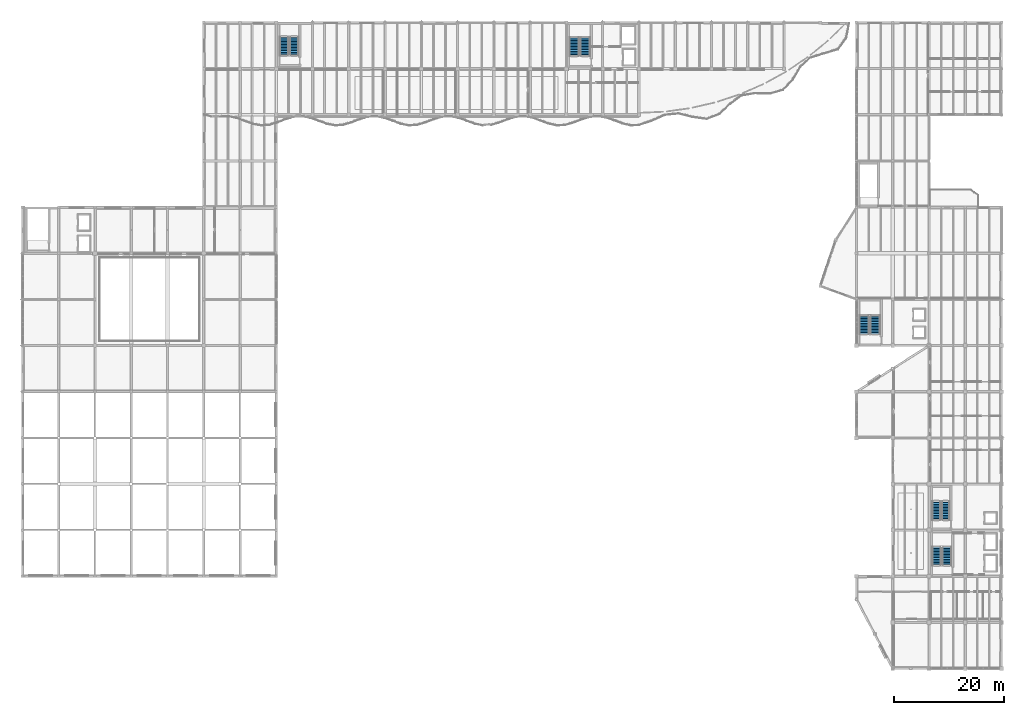
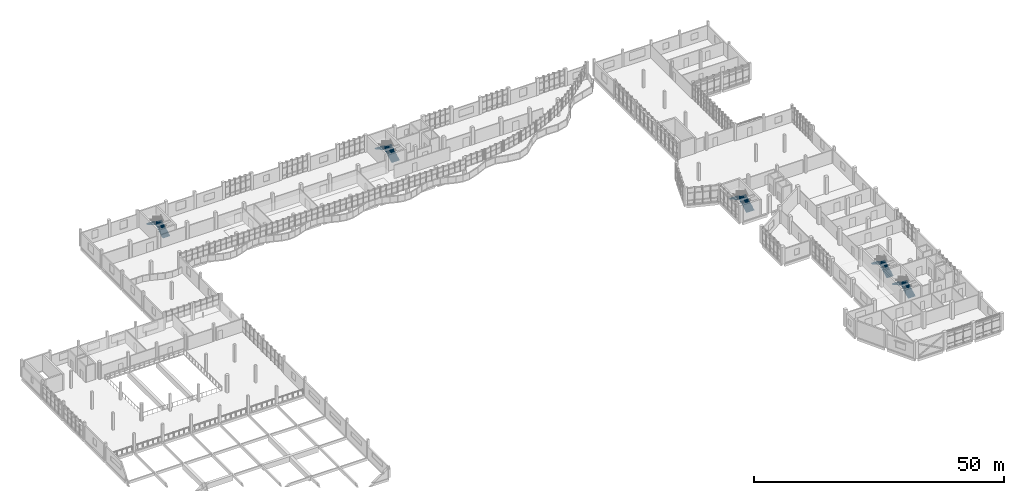
# One storey, part 56 of 74: 10 stair flights, 5 elements without a shape of their own.
"""IFC4 building model written with IfcOpenShell, lengths in metres."""

from ifc_helpers import new_model, si_unit, direction, frame, origin, place, context, subcontext, project, spatial, polyline, outline, extrude, material, type_object, element, aggregate, save


model = new_model("IFC4")

# Units and contexts
model_context = context("Model", 3, precision=1e-05, world=origin(), true_north=direction((0.0, 1.0)))
body_context = subcontext(model_context, "Body", "Model", "MODEL_VIEW")
ifc_project = project(units=[si_unit("LENGTHUNIT", "METRE"), si_unit("AREAUNIT", "SQUARE_METRE"), si_unit("VOLUMEUNIT", "CUBIC_METRE"), si_unit("PLANEANGLEUNIT", "RADIAN"), si_unit("MASSUNIT", "GRAM", prefix="KILO")], contexts=[model_context])

# Site, building, storey
site_placement = place(None, origin())
site = spatial("IfcSite", under=ifc_project, at=site_placement, CompositionType="ELEMENT")
building_placement = place(site_placement, origin())
building = spatial("IfcBuilding", under=site, at=building_placement, Name="Qaldarim Faculty of Natural and Applied Sciences", CompositionType="ELEMENT")
storey_placement = place(building_placement, frame((0.0, 0.0, 14.39990234375)))
storey = spatial("IfcBuildingStorey", under=building, at=storey_placement, Name="L03", CompositionType="ELEMENT", Elevation=14.39990234375)

# Stair, stair flights
ifc_material = material(Name="Concrete C40/50", Category="concrete")
stair_type_1 = type_object("IfcStairType", Name="DoglegStair-W1500-H4200-26R", PredefinedType="HALF_TURN_STAIR", material=ifc_material)
stair_1_placement = place(storey_placement, origin())
stair_1 = element("IfcStair", 1, at=stair_1_placement, inside=storey, type_object=stair_type_1, Name="Enclosed exit stair ST-A2 L03", PredefinedType="HALF_TURN_STAIR")
stair_flight_type_1 = type_object("IfcStairFlightType", Name="StairFlight-W1500-13R", PredefinedType="STRAIGHT", material=ifc_material)
stair_flight_1_placement = place(storey_placement, frame((168.050048828125, 27.050048828125, 0.0), z_axis=(0.0, 0.0, 1.0), x_axis=(0.0, 1.0, 0.0)))
stair_flight_1 = element("IfcStairFlight", 2, at=stair_flight_1_placement, type_object=stair_flight_type_1, Name="ST-A2 L03 flight 1", NumberOfRisers=13, NumberOfTreads=12, PredefinedType="STRAIGHT", RiserHeight=0.161538462, TreadLength=0.285, context=body_context, shape_type="SweptSolid", body=[
    extrude(outline(polyline([(0.0, 0.0), (0.0, 0.16162109375), (0.284912109375, 0.16162109375), (0.284912109375, 0.322998046875), (0.570068359375, 0.322998046875), (0.570068359375, 0.484619140625), (0.85498046875, 0.484619140625), (0.85498046875, 0.646240234375), (1.139892578125, 0.646240234375), (1.139892578125, 0.8076171875), (1.425048828125, 0.8076171875), (1.425048828125, 0.96923828125), (1.7099609375, 0.96923828125), (1.7099609375, 1.130859375), (1.9951171875, 1.130859375), (1.9951171875, 1.292236328125), (2.280029296875, 1.292236328125), (2.280029296875, 1.453857421875), (2.56494140625, 1.453857421875), (2.56494140625, 1.615478515625), (2.85009765625, 1.615478515625), (2.85009765625, 1.77685546875), (3.135009765625, 1.77685546875), (3.135009765625, 1.9384765625), (3.419921875, 1.9384765625), (3.419921875, 2.10009765625), (3.419921875, 1.76611328125), (0.303955078125, 0.0), (0.0, 0.0)])), frame((0.0, 0.75, 0.0), z_axis=(0.0, -1.0, 0.0), x_axis=(1.0, 0.0, 0.0)), (0.0, 0.0, 1.0), 1.5),
])
stair_flight_2_placement = place(storey_placement, frame((166.35009765625, 30.469970703125, 2.10009765625), z_axis=(0.0, 0.0, 1.0), x_axis=(0.0, -1.0, 0.0)))
stair_flight_2 = element("IfcStairFlight", 3, at=stair_flight_2_placement, type_object=stair_flight_type_1, Name="ST-A2 L03 flight 2", NumberOfRisers=13, NumberOfTreads=12, PredefinedType="STRAIGHT", RiserHeight=0.161538462, TreadLength=0.285, context=body_context, shape_type="SweptSolid", body=[
    extrude(outline(polyline([(0.0, 0.0), (0.0, 0.16162109375), (0.284912109375, 0.16162109375), (0.284912109375, 0.322998046875), (0.570068359375, 0.322998046875), (0.570068359375, 0.484619140625), (0.85498046875, 0.484619140625), (0.85498046875, 0.646240234375), (1.139892578125, 0.646240234375), (1.139892578125, 0.8076171875), (1.425048828125, 0.8076171875), (1.425048828125, 0.96923828125), (1.7099609375, 0.96923828125), (1.7099609375, 1.130859375), (1.9951171875, 1.130859375), (1.9951171875, 1.292236328125), (2.280029296875, 1.292236328125), (2.280029296875, 1.453857421875), (2.56494140625, 1.453857421875), (2.56494140625, 1.615478515625), (2.85009765625, 1.615478515625), (2.85009765625, 1.77685546875), (3.135009765625, 1.77685546875), (3.135009765625, 1.9384765625), (3.419921875, 1.9384765625), (3.419921875, 2.10009765625), (3.419921875, 1.76611328125), (0.303955078125, 0.0), (0.0, 0.0)])), frame((0.0, 0.75, 0.0), z_axis=(0.0, -1.0, 0.0), x_axis=(1.0, 0.0, 0.0)), (0.0, 0.0, 1.0), 1.5),
])
aggregate(stair_1, [stair_flight_1, stair_flight_2])

stair_type_2 = type_object("IfcStairType", Name="DoglegStair-W1650-H4200-26R", PredefinedType="HALF_TURN_STAIR", material=ifc_material)
stair_2_placement = place(storey_placement, origin())
stair_2 = element("IfcStair", 4, at=stair_2_placement, inside=storey, type_object=stair_type_2, Name="Enclosed exit stair ST-A1 L03", PredefinedType="HALF_TURN_STAIR")
stair_flight_type_2 = type_object("IfcStairFlightType", Name="StairFlight-W1650-13R", PredefinedType="STRAIGHT", material=ifc_material)
stair_flight_3_placement = place(storey_placement, frame((168.27490234375, 18.75, 0.0), z_axis=(0.0, 0.0, 1.0), x_axis=(0.0, 1.0, 0.0)))
stair_flight_3 = element("IfcStairFlight", 5, at=stair_flight_3_placement, type_object=stair_flight_type_2, Name="ST-A1 L03 flight 1", NumberOfRisers=13, NumberOfTreads=12, PredefinedType="STRAIGHT", RiserHeight=0.161538462, TreadLength=0.285, context=body_context, shape_type="SweptSolid", body=[
    extrude(outline(polyline([(0.0, 0.0), (0.0, 0.16162109375), (0.284912109375, 0.16162109375), (0.284912109375, 0.322998046875), (0.570068359375, 0.322998046875), (0.570068359375, 0.484619140625), (0.85498046875, 0.484619140625), (0.85498046875, 0.646240234375), (1.139892578125, 0.646240234375), (1.139892578125, 0.8076171875), (1.425048828125, 0.8076171875), (1.425048828125, 0.96923828125), (1.7099609375, 0.96923828125), (1.7099609375, 1.130859375), (1.9951171875, 1.130859375), (1.9951171875, 1.292236328125), (2.280029296875, 1.292236328125), (2.280029296875, 1.453857421875), (2.56494140625, 1.453857421875), (2.56494140625, 1.615478515625), (2.85009765625, 1.615478515625), (2.85009765625, 1.77685546875), (3.135009765625, 1.77685546875), (3.135009765625, 1.9384765625), (3.419921875, 1.9384765625), (3.419921875, 2.10009765625), (3.419921875, 1.76611328125), (0.303955078125, 0.0), (0.0, 0.0)])), frame((0.0, 0.824951171875, 0.0), z_axis=(0.0, -1.0, 0.0), x_axis=(1.0, 0.0, 0.0)), (0.0, 0.0, 1.0), 1.64990234375),
])
stair_flight_4_placement = place(storey_placement, frame((166.425048828125, 22.169921875, 2.10009765625), z_axis=(0.0, 0.0, 1.0), x_axis=(0.0, -1.0, 0.0)))
stair_flight_4 = element("IfcStairFlight", 6, at=stair_flight_4_placement, type_object=stair_flight_type_2, Name="ST-A1 L03 flight 2", NumberOfRisers=13, NumberOfTreads=12, PredefinedType="STRAIGHT", RiserHeight=0.161538462, TreadLength=0.285, context=body_context, shape_type="SweptSolid", body=[
    extrude(outline(polyline([(0.0, 0.0), (0.0, 0.16162109375), (0.284912109375, 0.16162109375), (0.284912109375, 0.322998046875), (0.570068359375, 0.322998046875), (0.570068359375, 0.484619140625), (0.85498046875, 0.484619140625), (0.85498046875, 0.646240234375), (1.139892578125, 0.646240234375), (1.139892578125, 0.8076171875), (1.425048828125, 0.8076171875), (1.425048828125, 0.96923828125), (1.7099609375, 0.96923828125), (1.7099609375, 1.130859375), (1.9951171875, 1.130859375), (1.9951171875, 1.292236328125), (2.280029296875, 1.292236328125), (2.280029296875, 1.453857421875), (2.56494140625, 1.453857421875), (2.56494140625, 1.615478515625), (2.85009765625, 1.615478515625), (2.85009765625, 1.77685546875), (3.135009765625, 1.77685546875), (3.135009765625, 1.9384765625), (3.419921875, 1.9384765625), (3.419921875, 2.10009765625), (3.419921875, 1.76611328125), (0.303955078125, 0.0), (0.0, 0.0)])), frame((0.0, 0.824951171875, 0.0), z_axis=(0.0, -1.0, 0.0), x_axis=(1.0, 0.0, 0.0)), (0.0, 0.0, 1.0), 1.64990234375),
])
aggregate(stair_2, [stair_flight_3, stair_flight_4])

stair_3_placement = place(storey_placement, origin())
stair_3 = element("IfcStair", 7, at=stair_3_placement, inside=storey, type_object=stair_type_2, Name="Enclosed exit stair ST-B2 L03", PredefinedType="HALF_TURN_STAIR")
stair_flight_5_placement = place(storey_placement, frame((49.47509765625, 111.60009765625, 0.0), z_axis=(0.0, 0.0, 1.0), x_axis=(0.0, 1.0, 0.0)))
stair_flight_5 = element("IfcStairFlight", 8, at=stair_flight_5_placement, type_object=stair_flight_type_2, Name="ST-B2 L03 flight 1", NumberOfRisers=13, NumberOfTreads=12, PredefinedType="STRAIGHT", RiserHeight=0.161538462, TreadLength=0.285, context=body_context, shape_type="SweptSolid", body=[
    extrude(outline(polyline([(0.0, 0.0), (0.0, 0.16162109375), (0.284912109375, 0.16162109375), (0.284912109375, 0.322998046875), (0.570068359375, 0.322998046875), (0.570068359375, 0.484619140625), (0.85498046875, 0.484619140625), (0.85498046875, 0.646240234375), (1.139892578125, 0.646240234375), (1.139892578125, 0.8076171875), (1.425048828125, 0.8076171875), (1.425048828125, 0.96923828125), (1.7099609375, 0.96923828125), (1.7099609375, 1.130859375), (1.9951171875, 1.130859375), (1.9951171875, 1.292236328125), (2.280029296875, 1.292236328125), (2.280029296875, 1.453857421875), (2.56494140625, 1.453857421875), (2.56494140625, 1.615478515625), (2.85009765625, 1.615478515625), (2.85009765625, 1.77685546875), (3.135009765625, 1.77685546875), (3.135009765625, 1.9384765625), (3.419921875, 1.9384765625), (3.419921875, 2.10009765625), (3.419921875, 1.76611328125), (0.303955078125, 0.0), (0.0, 0.0)])), frame((0.0, 0.824951171875, 0.0), z_axis=(0.0, -1.0, 0.0), x_axis=(1.0, 0.0, 0.0)), (0.0, 0.0, 1.0), 1.64990234375),
])
stair_flight_6_placement = place(storey_placement, frame((47.625, 115.02001953125, 2.10009765625), z_axis=(0.0, 0.0, 1.0), x_axis=(0.0, -1.0, 0.0)))
stair_flight_6 = element("IfcStairFlight", 9, at=stair_flight_6_placement, type_object=stair_flight_type_2, Name="ST-B2 L03 flight 2", NumberOfRisers=13, NumberOfTreads=12, PredefinedType="STRAIGHT", RiserHeight=0.161538462, TreadLength=0.285, context=body_context, shape_type="SweptSolid", body=[
    extrude(outline(polyline([(0.0, 0.0), (0.0, 0.16162109375), (0.284912109375, 0.16162109375), (0.284912109375, 0.322998046875), (0.570068359375, 0.322998046875), (0.570068359375, 0.484619140625), (0.85498046875, 0.484619140625), (0.85498046875, 0.646240234375), (1.139892578125, 0.646240234375), (1.139892578125, 0.8076171875), (1.425048828125, 0.8076171875), (1.425048828125, 0.96923828125), (1.7099609375, 0.96923828125), (1.7099609375, 1.130859375), (1.9951171875, 1.130859375), (1.9951171875, 1.292236328125), (2.280029296875, 1.292236328125), (2.280029296875, 1.453857421875), (2.56494140625, 1.453857421875), (2.56494140625, 1.615478515625), (2.85009765625, 1.615478515625), (2.85009765625, 1.77685546875), (3.135009765625, 1.77685546875), (3.135009765625, 1.9384765625), (3.419921875, 1.9384765625), (3.419921875, 2.10009765625), (3.419921875, 1.76611328125), (0.303955078125, 0.0), (0.0, 0.0)])), frame((0.0, 0.824951171875, 0.0), z_axis=(0.0, -1.0, 0.0), x_axis=(1.0, 0.0, 0.0)), (0.0, 0.0, 1.0), 1.64990234375),
])
aggregate(stair_3, [stair_flight_5, stair_flight_6])

stair_type_3 = type_object("IfcStairType", Name="DoglegStair-W1800-H4200-26R", PredefinedType="HALF_TURN_STAIR", material=ifc_material)
stair_4_placement = place(storey_placement, origin())
stair_4 = element("IfcStair", 10, at=stair_4_placement, inside=storey, type_object=stair_type_3, Name="Enclosed exit stair ST-B1 L03", PredefinedType="HALF_TURN_STAIR")
stair_flight_type_3 = type_object("IfcStairFlightType", Name="StairFlight-W1800-13R", PredefinedType="STRAIGHT", material=ifc_material)
stair_flight_7_placement = place(storey_placement, frame((102.449951171875, 111.5, 0.0), z_axis=(0.0, 0.0, 1.0), x_axis=(0.0, 1.0, 0.0)))
stair_flight_7 = element("IfcStairFlight", 11, at=stair_flight_7_placement, type_object=stair_flight_type_3, Name="ST-B1 L03 flight 1", NumberOfRisers=13, NumberOfTreads=12, PredefinedType="STRAIGHT", RiserHeight=0.161538462, TreadLength=0.285, context=body_context, shape_type="SweptSolid", body=[
    extrude(outline(polyline([(0.0, 0.0), (0.0, 0.16162109375), (0.284912109375, 0.16162109375), (0.284912109375, 0.322998046875), (0.570068359375, 0.322998046875), (0.570068359375, 0.484619140625), (0.85498046875, 0.484619140625), (0.85498046875, 0.646240234375), (1.139892578125, 0.646240234375), (1.139892578125, 0.8076171875), (1.425048828125, 0.8076171875), (1.425048828125, 0.96923828125), (1.7099609375, 0.96923828125), (1.7099609375, 1.130859375), (1.9951171875, 1.130859375), (1.9951171875, 1.292236328125), (2.280029296875, 1.292236328125), (2.280029296875, 1.453857421875), (2.56494140625, 1.453857421875), (2.56494140625, 1.615478515625), (2.85009765625, 1.615478515625), (2.85009765625, 1.77685546875), (3.135009765625, 1.77685546875), (3.135009765625, 1.9384765625), (3.419921875, 1.9384765625), (3.419921875, 2.10009765625), (3.419921875, 1.76611328125), (0.303955078125, 0.0), (0.0, 0.0)])), frame((0.0, 0.89990234375, 0.0), z_axis=(0.0, -1.0, 0.0), x_axis=(1.0, 0.0, 0.0)), (0.0, 0.0, 1.0), 1.800048828125),
])
stair_flight_8_placement = place(storey_placement, frame((100.449951171875, 114.919921875, 2.10009765625), z_axis=(0.0, 0.0, 1.0), x_axis=(0.0, -1.0, 0.0)))
stair_flight_8 = element("IfcStairFlight", 12, at=stair_flight_8_placement, type_object=stair_flight_type_3, Name="ST-B1 L03 flight 2", NumberOfRisers=13, NumberOfTreads=12, PredefinedType="STRAIGHT", RiserHeight=0.161538462, TreadLength=0.285, context=body_context, shape_type="SweptSolid", body=[
    extrude(outline(polyline([(0.0, 0.0), (0.0, 0.16162109375), (0.284912109375, 0.16162109375), (0.284912109375, 0.322998046875), (0.570068359375, 0.322998046875), (0.570068359375, 0.484619140625), (0.85498046875, 0.484619140625), (0.85498046875, 0.646240234375), (1.139892578125, 0.646240234375), (1.139892578125, 0.8076171875), (1.425048828125, 0.8076171875), (1.425048828125, 0.96923828125), (1.7099609375, 0.96923828125), (1.7099609375, 1.130859375), (1.9951171875, 1.130859375), (1.9951171875, 1.292236328125), (2.280029296875, 1.292236328125), (2.280029296875, 1.453857421875), (2.56494140625, 1.453857421875), (2.56494140625, 1.615478515625), (2.85009765625, 1.615478515625), (2.85009765625, 1.77685546875), (3.135009765625, 1.77685546875), (3.135009765625, 1.9384765625), (3.419921875, 1.9384765625), (3.419921875, 2.10009765625), (3.419921875, 1.76611328125), (0.303955078125, 0.0), (0.0, 0.0)])), frame((0.0, 0.89990234375, 0.0), z_axis=(0.0, -1.0, 0.0), x_axis=(1.0, 0.0, 0.0)), (0.0, 0.0, 1.0), 1.800048828125),
])
aggregate(stair_4, [stair_flight_7, stair_flight_8])

stair_5_placement = place(storey_placement, origin())
stair_5 = element("IfcStair", 13, at=stair_5_placement, inside=storey, type_object=stair_type_3, Name="Enclosed exit stair ST-C1 L03", PredefinedType="HALF_TURN_STAIR")
stair_flight_9_placement = place(storey_placement, frame((155.25, 60.85009765625, 0.0), z_axis=(0.0, 0.0, 1.0), x_axis=(0.0, 1.0, 0.0)))
stair_flight_9 = element("IfcStairFlight", 14, at=stair_flight_9_placement, type_object=stair_flight_type_3, Name="ST-C1 L03 flight 1", NumberOfRisers=13, NumberOfTreads=12, PredefinedType="STRAIGHT", RiserHeight=0.161538462, TreadLength=0.285, context=body_context, shape_type="SweptSolid", body=[
    extrude(outline(polyline([(0.0, 0.0), (0.0, 0.16162109375), (0.284912109375, 0.16162109375), (0.284912109375, 0.322998046875), (0.570068359375, 0.322998046875), (0.570068359375, 0.484619140625), (0.85498046875, 0.484619140625), (0.85498046875, 0.646240234375), (1.139892578125, 0.646240234375), (1.139892578125, 0.8076171875), (1.425048828125, 0.8076171875), (1.425048828125, 0.96923828125), (1.7099609375, 0.96923828125), (1.7099609375, 1.130859375), (1.9951171875, 1.130859375), (1.9951171875, 1.292236328125), (2.280029296875, 1.292236328125), (2.280029296875, 1.453857421875), (2.56494140625, 1.453857421875), (2.56494140625, 1.615478515625), (2.85009765625, 1.615478515625), (2.85009765625, 1.77685546875), (3.135009765625, 1.77685546875), (3.135009765625, 1.9384765625), (3.419921875, 1.9384765625), (3.419921875, 2.10009765625), (3.419921875, 1.76611328125), (0.303955078125, 0.0), (0.0, 0.0)])), frame((0.0, 0.89990234375, 0.0), z_axis=(0.0, -1.0, 0.0), x_axis=(1.0, 0.0, 0.0)), (0.0, 0.0, 1.0), 1.800048828125),
])
stair_flight_10_placement = place(storey_placement, frame((153.25, 64.27001953125, 2.10009765625), z_axis=(0.0, 0.0, 1.0), x_axis=(0.0, -1.0, 0.0)))
stair_flight_10 = element("IfcStairFlight", 15, at=stair_flight_10_placement, type_object=stair_flight_type_3, Name="ST-C1 L03 flight 2", NumberOfRisers=13, NumberOfTreads=12, PredefinedType="STRAIGHT", RiserHeight=0.161538462, TreadLength=0.285, context=body_context, shape_type="SweptSolid", body=[
    extrude(outline(polyline([(0.0, 0.0), (0.0, 0.16162109375), (0.284912109375, 0.16162109375), (0.284912109375, 0.322998046875), (0.570068359375, 0.322998046875), (0.570068359375, 0.484619140625), (0.85498046875, 0.484619140625), (0.85498046875, 0.646240234375), (1.139892578125, 0.646240234375), (1.139892578125, 0.8076171875), (1.425048828125, 0.8076171875), (1.425048828125, 0.96923828125), (1.7099609375, 0.96923828125), (1.7099609375, 1.130859375), (1.9951171875, 1.130859375), (1.9951171875, 1.292236328125), (2.280029296875, 1.292236328125), (2.280029296875, 1.453857421875), (2.56494140625, 1.453857421875), (2.56494140625, 1.615478515625), (2.85009765625, 1.615478515625), (2.85009765625, 1.77685546875), (3.135009765625, 1.77685546875), (3.135009765625, 1.9384765625), (3.419921875, 1.9384765625), (3.419921875, 2.10009765625), (3.419921875, 1.76611328125), (0.303955078125, 0.0), (0.0, 0.0)])), frame((0.0, 0.89990234375, 0.0), z_axis=(0.0, -1.0, 0.0), x_axis=(1.0, 0.0, 0.0)), (0.0, 0.0, 1.0), 1.800048828125),
])
aggregate(stair_5, [stair_flight_9, stair_flight_10])

save(model, "model.ifc")
